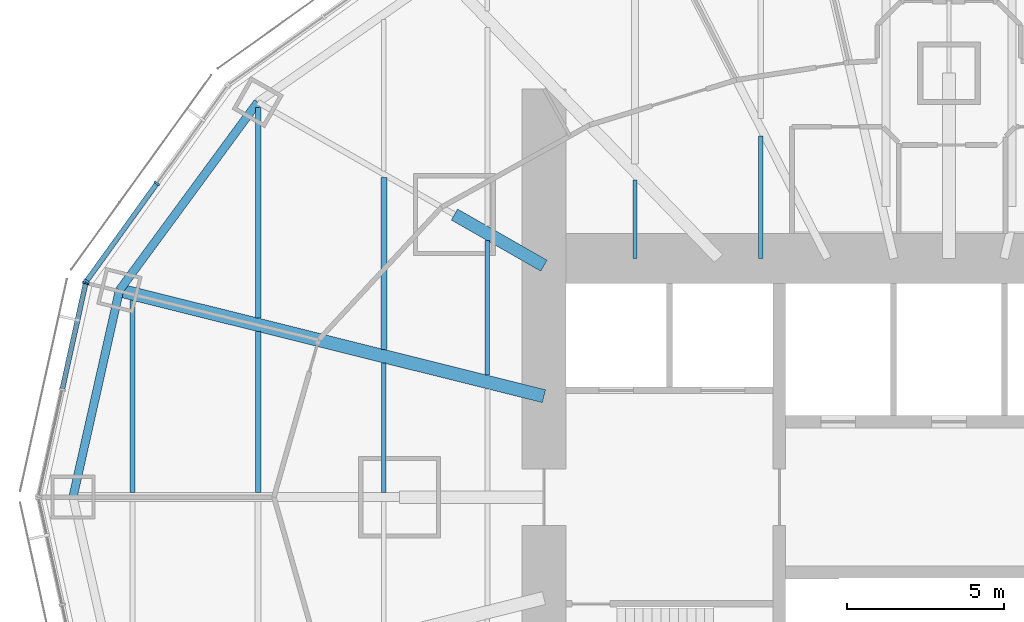
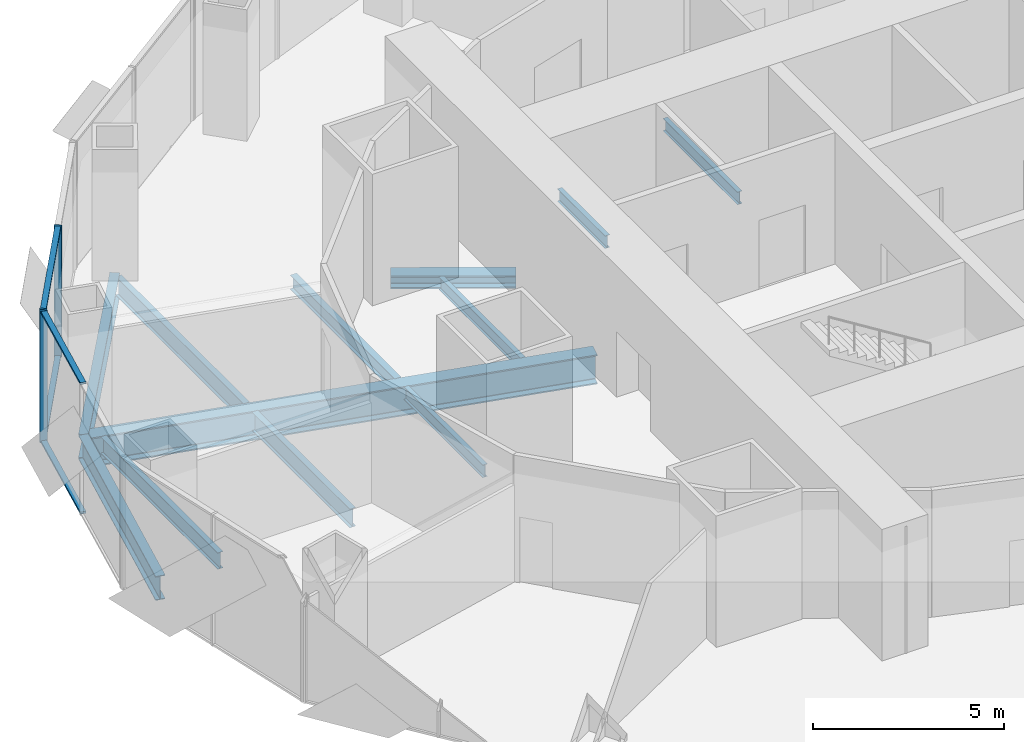
# One storey, part 4 of 17: 12 beams, 7 members, 2 elements without a shape of their own.
"""IFC4 building model written with IfcOpenShell, lengths in metres."""

from ifc_helpers import new_model, si_unit, direction, frame, origin, origin_2d, place, context, subcontext, project, spatial, rectangle, i_section, extrude, material, material_profile, profile_set, type_object, element, aggregate, save


model = new_model("IFC4")

# Units and contexts
model_context = context("Model", 3, precision=1e-05, world=origin(), true_north=direction((0.0, 1.0)))
body_context = subcontext(model_context, "Body", "Model", "MODEL_VIEW")
ifc_project = project(units=[si_unit("LENGTHUNIT", "METRE"), si_unit("AREAUNIT", "SQUARE_METRE"), si_unit("VOLUMEUNIT", "CUBIC_METRE"), si_unit("PLANEANGLEUNIT", "RADIAN"), si_unit("MASSUNIT", "GRAM", prefix="KILO")], contexts=[model_context])

# Site, building, storey
site_placement = place(None, origin())
site = spatial("IfcSite", under=ifc_project, at=site_placement, CompositionType="ELEMENT")
building_placement = place(site_placement, origin())
building = spatial("IfcBuilding", under=site, at=building_placement, Name="Lantaw Convention Tower", CompositionType="ELEMENT")
storey_placement = place(building_placement, frame((0.0, 0.0, 159.39990234375)))
storey = spatial("IfcBuildingStorey", under=building, at=storey_placement, Name="L37", CompositionType="ELEMENT", Elevation=159.39990234375)

# Beams
ifc_material_1 = material(Name="Steel ASTM A992", Category="steel")
ifc_material_profile_1 = material_profile(ifc_material_1, i_section(OverallWidth=0.2666015625, OverallDepth=0.76953125, WebThickness=0.015625, FlangeThickness=0.025390625, FilletRadius=0.0126953125, at=origin_2d()), Name="W30X132")
ifc_profile_set_1 = profile_set([ifc_material_profile_1], Name="Steel ASTM A992")
beam_type_1 = type_object("IfcBeamType", Name="Beam E W30X132", PredefinedType="SPANDREL", material=ifc_profile_set_1)
beam_1_placement = place(storey_placement, frame((-22.013916015625, 12.579345703125, -0.53466796875), z_axis=(-0.5923891972, -0.805651934176, 0.0), x_axis=(0.805651934176, -0.5923891972, 0.0)))
element("IfcBeam", 1, at=beam_1_placement, inside=storey, type_object=beam_type_1, Name="Edge beam 11", PredefinedType="SPANDREL", context=body_context, shape_type="SweptSolid", body=[
    extrude(i_section(OverallWidth=0.2666015625, OverallDepth=0.76953125, WebThickness=0.015625, FlangeThickness=0.025390625, FilletRadius=0.0126953125, at=origin_2d()), origin(), (0.0, 0.0, 1.0), 7.437744140625),
])
beam_2_placement = place(storey_placement, frame((-26.419921875, 6.587158203125, -0.53466796875), z_axis=(-0.219211877447, -0.975677279015, 0.0), x_axis=(0.975677279015, -0.219211877447, 0.0)))
element("IfcBeam", 2, at=beam_2_placement, inside=storey, type_object=beam_type_1, Name="Edge beam 12", PredefinedType="SPANDREL", context=body_context, shape_type="SweptSolid", body=[
    extrude(i_section(OverallWidth=0.2666015625, OverallDepth=0.76953125, WebThickness=0.015625, FlangeThickness=0.025390625, FilletRadius=0.0126953125, at=origin_2d()), origin(), (0.0, 0.0, 1.0), 6.75146484375),
])
ifc_material_profile_2 = material_profile(ifc_material_1, i_section(OverallWidth=0.421630859375, OverallDepth=0.937255859375, WebThickness=0.0224609375, FlangeThickness=0.039794921875, FilletRadius=0.02001953125, at=origin_2d()), Name="W36X282")
ifc_profile_set_2 = profile_set([ifc_material_profile_2], Name="Steel ASTM A992")
beam_type_2 = type_object("IfcBeamType", Name="Beam G W36X282", PredefinedType="BEAM", material=ifc_profile_set_2)
beam_3_placement = place(storey_placement, frame((-12.89990234375, 3.21630859375, -0.61865234375), z_axis=(-0.970296903132, 0.24191717544, 0.0), x_axis=(-0.24191717544, -0.970296903132, 0.0)))
element("IfcBeam", 3, at=beam_3_placement, inside=storey, type_object=beam_type_2, Name="Floor girder on ray 12", PredefinedType="BEAM", context=body_context, shape_type="SweptSolid", body=[
    extrude(i_section(OverallWidth=0.421630859375, OverallDepth=0.937255859375, WebThickness=0.0224609375, FlangeThickness=0.039794921875, FilletRadius=0.02001953125, at=origin_2d()), origin(), (0.0, 0.0, 1.0), 13.933837890625),
])
ifc_material_profile_3 = material_profile(ifc_material_1, i_section(OverallWidth=0.40380859375, OverallDepth=0.406494140625, WebThickness=0.027099609375, FlangeThickness=0.043701171875, FilletRadius=0.01513671875, at=origin_2d()), Name="W14X233")
ifc_profile_set_3 = profile_set([ifc_material_profile_3], Name="Steel ASTM A992")
beam_type_3 = type_object("IfcBeamType", Name="Beam GM W14X233", PredefinedType="BEAM", material=ifc_profile_set_3)
beam_4_placement = place(storey_placement, frame((-12.89990234375, 7.371337890625, -0.35302734375), z_axis=(-0.868238565244, 0.496146947811, 0.0), x_axis=(-0.496146947811, -0.868238565244, 0.0)))
element("IfcBeam", 4, at=beam_4_placement, inside=storey, type_object=beam_type_3, Name="Core link beam on ray 11", PredefinedType="BEAM", context=body_context, shape_type="SweptSolid", body=[
    extrude(i_section(OverallWidth=0.40380859375, OverallDepth=0.406494140625, WebThickness=0.027099609375, FlangeThickness=0.043701171875, FilletRadius=0.01513671875, at=origin_2d()), origin(), (0.0, 0.0, 1.0), 3.28271484375),
])
ifc_material_profile_4 = material_profile(ifc_material_1, i_section(OverallWidth=0.140380859375, OverallDepth=0.40380859375, WebThickness=0.007080078125, FlangeThickness=0.01123046875, FilletRadius=0.01025390625, at=origin_2d()), Name="W16X31")
ifc_profile_set_4 = profile_set([ifc_material_profile_4], Name="Steel ASTM A992")
beam_type_4 = type_object("IfcBeamType", Name="Beam J W16X31", PredefinedType="JOIST", material=ifc_profile_set_4)
beam_5_placement = place(storey_placement, frame((-18.0, 0.14599609375, -0.351806640625), z_axis=(0.0, 1.0, 0.0), x_axis=(-1.0, 0.0, 0.0)))
element("IfcBeam", 5, at=beam_5_placement, inside=storey, type_object=beam_type_4, Name="Floor joist", PredefinedType="JOIST", context=body_context, shape_type="SweptSolid", body=[
    extrude(i_section(OverallWidth=0.140380859375, OverallDepth=0.40380859375, WebThickness=0.007080078125, FlangeThickness=0.01123046875, FilletRadius=0.01025390625, at=origin_2d()), origin(), (0.0, 0.0, 1.0), 4.124755859375),
])
beam_6_placement = place(storey_placement, frame((-14.699951171875, 3.88232421875, -0.351806640625), z_axis=(0.0, 1.0, 0.0), x_axis=(-1.0, 0.0, 0.0)))
element("IfcBeam", 6, at=beam_6_placement, inside=storey, type_object=beam_type_4, Name="Floor joist", PredefinedType="JOIST", context=body_context, shape_type="SweptSolid", body=[
    extrude(i_section(OverallWidth=0.140380859375, OverallDepth=0.40380859375, WebThickness=0.007080078125, FlangeThickness=0.01123046875, FilletRadius=0.01025390625, at=origin_2d()), origin(), (0.0, 0.0, 1.0), 4.28515625),
])
beam_7_placement = place(storey_placement, frame((-10.0, 7.60009765625, -0.351806640625), z_axis=(0.0, 1.0, 0.0), x_axis=(-1.0, 0.0, 0.0)))
element("IfcBeam", 7, at=beam_7_placement, inside=storey, type_object=beam_type_4, Name="Floor joist", PredefinedType="JOIST", context=body_context, shape_type="SweptSolid", body=[
    extrude(i_section(OverallWidth=0.140380859375, OverallDepth=0.40380859375, WebThickness=0.007080078125, FlangeThickness=0.01123046875, FilletRadius=0.01025390625, at=origin_2d()), origin(), (0.0, 0.0, 1.0), 2.49560546875),
])
beam_8_placement = place(storey_placement, frame((-6.0, 7.60009765625, -0.351806640625), z_axis=(0.0, 1.0, 0.0), x_axis=(-1.0, 0.0, 0.0)))
element("IfcBeam", 8, at=beam_8_placement, inside=storey, type_object=beam_type_4, Name="Floor joist", PredefinedType="JOIST", context=body_context, shape_type="SweptSolid", body=[
    extrude(i_section(OverallWidth=0.140380859375, OverallDepth=0.40380859375, WebThickness=0.007080078125, FlangeThickness=0.01123046875, FilletRadius=0.01025390625, at=origin_2d()), origin(), (0.0, 0.0, 1.0), 3.895751953125),
])
ifc_material_profile_5 = material_profile(ifc_material_1, i_section(OverallWidth=0.1904296875, OverallDepth=0.457275390625, WebThickness=0.009033203125, FlangeThickness=0.014404296875, FilletRadius=0.01025390625, at=origin_2d()), Name="W18X50")
ifc_profile_set_5 = profile_set([ifc_material_profile_5], Name="Steel ASTM A992")
beam_type_5 = type_object("IfcBeamType", Name="Beam J W18X50", PredefinedType="JOIST", material=ifc_profile_set_5)
beam_9_placement = place(storey_placement, frame((-18.0, 4.705078125, -0.37841796875), z_axis=(0.0, 1.0, 0.0), x_axis=(-1.0, 0.0, 0.0)))
element("IfcBeam", 9, at=beam_9_placement, inside=storey, type_object=beam_type_5, Name="Floor joist", PredefinedType="JOIST", context=body_context, shape_type="SweptSolid", body=[
    extrude(i_section(OverallWidth=0.1904296875, OverallDepth=0.457275390625, WebThickness=0.009033203125, FlangeThickness=0.014404296875, FilletRadius=0.01025390625, at=origin_2d()), origin(), (0.0, 0.0, 1.0), 5.47802734375),
])
ifc_material_profile_6 = material_profile(ifc_material_1, i_section(OverallWidth=0.1650390625, OverallDepth=0.52587890625, WebThickness=0.0087890625, FlangeThickness=0.011474609375, FilletRadius=0.0126953125, at=origin_2d()), Name="W21X44")
ifc_profile_set_6 = profile_set([ifc_material_profile_6], Name="Steel ASTM A992")
beam_type_6 = type_object("IfcBeamType", Name="Beam J W21X44", PredefinedType="JOIST", material=ifc_profile_set_6)
beam_10_placement = place(storey_placement, frame((-26.0, 0.14599609375, -0.412841796875), z_axis=(0.0, 1.0, 0.0), x_axis=(-1.0, 0.0, 0.0)))
element("IfcBeam", 10, at=beam_10_placement, inside=storey, type_object=beam_type_6, Name="Floor joist", PredefinedType="JOIST", context=body_context, shape_type="SweptSolid", body=[
    extrude(i_section(OverallWidth=0.1650390625, OverallDepth=0.52587890625, WebThickness=0.0087890625, FlangeThickness=0.011474609375, FilletRadius=0.0126953125, at=origin_2d()), origin(), (0.0, 0.0, 1.0), 6.119140625),
])
ifc_material_profile_7 = material_profile(ifc_material_1, i_section(OverallWidth=0.177978515625, OverallDepth=0.599365234375, WebThickness=0.010009765625, FlangeThickness=0.012939453125, FilletRadius=0.012939453125, at=origin_2d()), Name="W24X55")
ifc_profile_set_7 = profile_set([ifc_material_profile_7], Name="Steel ASTM A992")
beam_type_7 = type_object("IfcBeamType", Name="Beam J W24X55", PredefinedType="JOIST", material=ifc_profile_set_7)
beam_11_placement = place(storey_placement, frame((-22.0, 0.14599609375, -0.44970703125), z_axis=(0.0, 1.0, 0.0), x_axis=(-1.0, 0.0, 0.0)))
element("IfcBeam", 11, at=beam_11_placement, inside=storey, type_object=beam_type_7, Name="Floor joist", PredefinedType="JOIST", context=body_context, shape_type="SweptSolid", body=[
    extrude(i_section(OverallWidth=0.177978515625, OverallDepth=0.599365234375, WebThickness=0.010009765625, FlangeThickness=0.012939453125, FilletRadius=0.012939453125, at=origin_2d()), origin(), (0.0, 0.0, 1.0), 5.121826171875),
])
beam_12_placement = place(storey_placement, frame((-22.0, 5.702392578125, -0.44970703125), z_axis=(0.0, 1.0, 0.0), x_axis=(-1.0, 0.0, 0.0)))
element("IfcBeam", 12, at=beam_12_placement, inside=storey, type_object=beam_type_7, Name="Floor joist", PredefinedType="JOIST", context=body_context, shape_type="SweptSolid", body=[
    extrude(i_section(OverallWidth=0.177978515625, OverallDepth=0.599365234375, WebThickness=0.010009765625, FlangeThickness=0.012939453125, FilletRadius=0.012939453125, at=origin_2d()), origin(), (0.0, 0.0, 1.0), 6.70654296875),
])

# Curtain wall, members
ifc_material_2 = material(Name="Aluminium framed curtain wall", Category="aluminium")
curtain_wall_type = type_object("IfcCurtainWallType", Name="Office curtain wall low rise, pale aluminium", PredefinedType="USERDEFINED", material=ifc_material_2)
curtain_wall_1_placement = place(storey_placement, origin())
curtain_wall_1 = element("IfcCurtainWall", 13, at=curtain_wall_1_placement, inside=storey, type_object=curtain_wall_type, Name="Office curtain wall low rise, pale aluminium L37", ObjectType="UNITISED CURTAIN WALL", PredefinedType="USERDEFINED")
ifc_material_3 = material(Name="Aluminium 6063-T6", Category="aluminium")
ifc_material_profile_8 = material_profile(ifc_material_3, rectangle(XDim=0.199951171875, YDim=0.06494140625, at=origin_2d()), Name="CW-O1 mullion 65x200")
ifc_profile_set_8 = profile_set([ifc_material_profile_8], Name="Aluminium 6063-T6")
member_type_1 = type_object("IfcMemberType", Name="CW-O1 mullion 65x200", PredefinedType="MULLION", material=ifc_profile_set_8)
member_1_placement = place(storey_placement, frame((-25.22802734375, 9.9892578125, -0.14990234375), z_axis=(0.0, 0.0, 1.0), x_axis=(0.811384633629, -0.584512597221, 0.0)))
member_1 = element("IfcMember", 14, at=member_1_placement, type_object=member_type_1, Name="CW-O1 mullion 2", PredefinedType="MULLION", context=body_context, shape_type="SweptSolid", body=[
    extrude(rectangle(XDim=0.199951171875, YDim=0.06494140625, at=origin_2d()), origin(), (0.0, 0.0, 1.0), 4.199951171875),
])
member_2_placement = place(storey_placement, frame((-27.46826171875, 6.879638671875, -0.14990234375), z_axis=(0.0, 0.0, 1.0), x_axis=(0.811384633629, -0.584512597221, 0.0)))
member_2 = element("IfcMember", 15, at=member_2_placement, type_object=member_type_1, Name="CW-O1 mullion 3", PredefinedType="MULLION", context=body_context, shape_type="SweptSolid", body=[
    extrude(rectangle(XDim=0.199951171875, YDim=0.06494140625, at=origin_2d()), origin(), (0.0, 0.0, 1.0), 4.199951171875),
])

# Curtain wall, member
curtain_wall_2_placement = place(storey_placement, origin())
curtain_wall_2 = element("IfcCurtainWall", 16, at=curtain_wall_2_placement, inside=storey, type_object=curtain_wall_type, Name="Office curtain wall low rise, pale aluminium L37", ObjectType="UNITISED CURTAIN WALL", PredefinedType="USERDEFINED")
member_3_placement = place(storey_placement, frame((-27.494140625, 6.821533203125, -0.14990234375), z_axis=(0.0, 0.0, 1.0), x_axis=(0.9764936509, -0.215546166174, 0.0)))
member_3 = element("IfcMember", 17, at=member_3_placement, type_object=member_type_1, Name="CW-O1 mullion 1", PredefinedType="MULLION", context=body_context, shape_type="SweptSolid", body=[
    extrude(rectangle(XDim=0.199951171875, YDim=0.06494140625, at=origin_2d()), origin(), (0.0, 0.0, 1.0), 4.199951171875),
])

# Member
ifc_material_profile_9 = material_profile(ifc_material_3, rectangle(XDim=0.159912109375, YDim=0.06494140625, at=origin_2d()), Name="CW-O1 transom 65x160")
ifc_profile_set_9 = profile_set([ifc_material_profile_9], Name="Aluminium 6063-T6")
member_type_2 = type_object("IfcMemberType", Name="CW-O1 transom 65x160", PredefinedType="USERDEFINED", material=ifc_profile_set_9)
member_4_placement = place(storey_placement, frame((-25.2470703125, 9.962890625, -0.117431640625), z_axis=(-0.584512973979, -0.811384362217, 0.0), x_axis=(0.811384362217, -0.584512973979, 0.0)))
member_4 = element("IfcMember", 18, at=member_4_placement, type_object=member_type_2, Name="CW-O1 transom 2.1", ObjectType="TRANSOM", PredefinedType="USERDEFINED", context=body_context, shape_type="SweptSolid", body=[
    extrude(rectangle(XDim=0.159912109375, YDim=0.06494140625, at=origin_2d()), origin(), (0.0, 0.0, 1.0), 3.767578125),
])

member_5_placement = place(storey_placement, frame((-25.2470703125, 9.962890625, 4.017578125), z_axis=(-0.584512973979, -0.811384362217, 0.0), x_axis=(0.811384362217, -0.584512973979, 0.0)))
member_5 = element("IfcMember", 19, at=member_5_placement, type_object=member_type_2, Name="CW-O1 transom 2.2", ObjectType="TRANSOM", PredefinedType="USERDEFINED", context=body_context, shape_type="SweptSolid", body=[
    extrude(rectangle(XDim=0.159912109375, YDim=0.06494140625, at=origin_2d()), origin(), (0.0, 0.0, 1.0), 3.767578125),
])

aggregate(curtain_wall_1, [member_1, member_2, member_4, member_5])

member_6_placement = place(storey_placement, frame((-27.501220703125, 6.789794921875, -0.117431640625), z_axis=(-0.21555115847, -0.976492548913, 0.0), x_axis=(0.976492548913, -0.21555115847, 0.0)))
member_6 = element("IfcMember", 20, at=member_6_placement, type_object=member_type_2, Name="CW-O1 transom 1.1", ObjectType="TRANSOM", PredefinedType="USERDEFINED", context=body_context, shape_type="SweptSolid", body=[
    extrude(rectangle(XDim=0.159912109375, YDim=0.06494140625, at=origin_2d()), origin(), (0.0, 0.0, 1.0), 3.411376953125),
])

member_7_placement = place(storey_placement, frame((-27.501220703125, 6.789794921875, 4.017578125), z_axis=(-0.21555115847, -0.976492548913, 0.0), x_axis=(0.976492548913, -0.21555115847, 0.0)))
member_7 = element("IfcMember", 21, at=member_7_placement, type_object=member_type_2, Name="CW-O1 transom 1.2", ObjectType="TRANSOM", PredefinedType="USERDEFINED", context=body_context, shape_type="SweptSolid", body=[
    extrude(rectangle(XDim=0.159912109375, YDim=0.06494140625, at=origin_2d()), origin(), (0.0, 0.0, 1.0), 3.411376953125),
])

aggregate(curtain_wall_2, [member_3, member_6, member_7])

save(model, "model.ifc")
